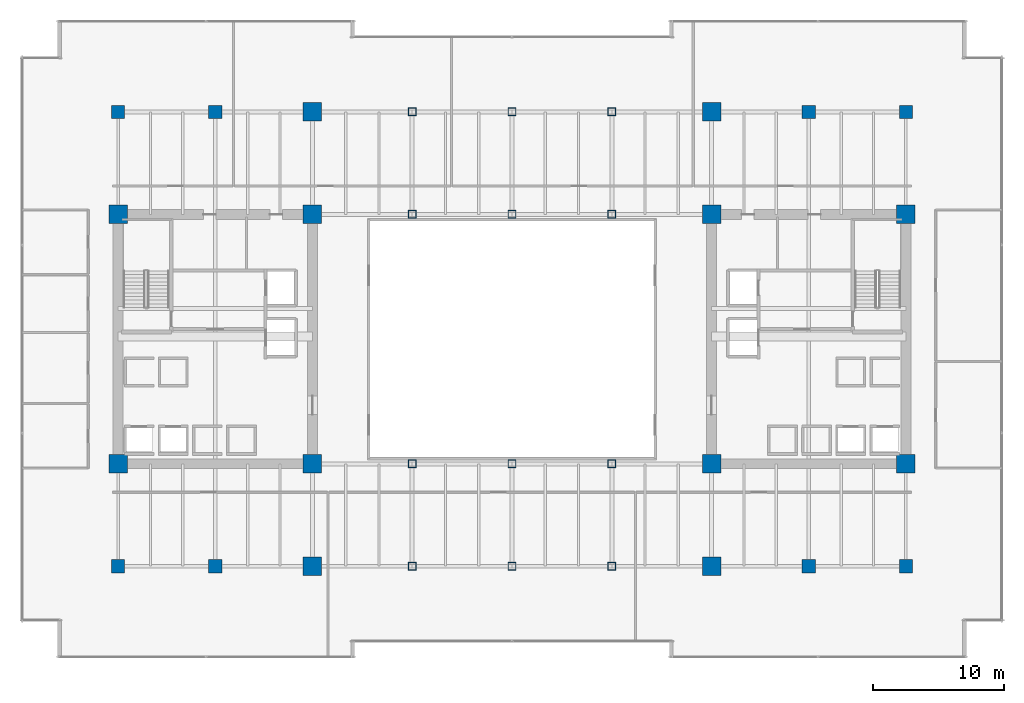
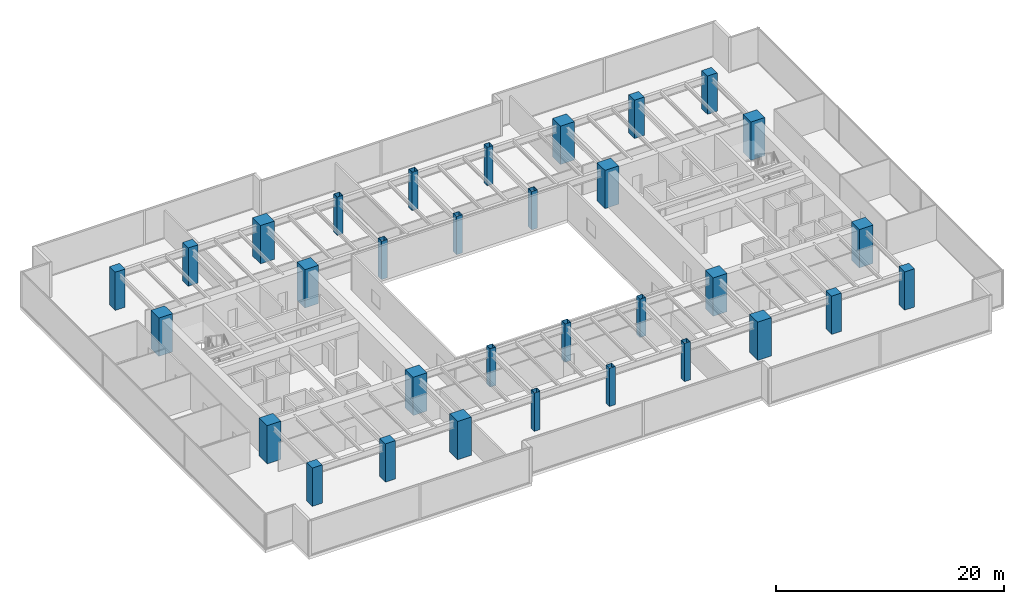
# One storey, part 1 of 35: 32 columns.
"""IFC4 building model written with IfcOpenShell, lengths in metres."""

from ifc_helpers import new_model, si_unit, direction, frame, origin, origin_2d, place, context, subcontext, project, spatial, rectangle, hollow_rectangle, extrude, source, transform, mapped, material, material_profile, profile_set, type_object, type_shapes, element, save


model = new_model("IFC4")

# Units and contexts
model_context = context("Model", 3, precision=1e-05, world=origin(), true_north=direction((0.0, 1.0)))
body_context = subcontext(model_context, "Body", "Model", "MODEL_VIEW")
ifc_project = project(units=[si_unit("LENGTHUNIT", "METRE"), si_unit("AREAUNIT", "SQUARE_METRE"), si_unit("VOLUMEUNIT", "CUBIC_METRE"), si_unit("PLANEANGLEUNIT", "RADIAN"), si_unit("MASSUNIT", "GRAM", prefix="KILO")], contexts=[model_context])

# Site, building, storey
site_placement = place(None, origin())
site = spatial("IfcSite", under=ifc_project, at=site_placement, CompositionType="ELEMENT")
building_placement = place(site_placement, origin())
building = spatial("IfcBuilding", under=site, at=building_placement, Name="Haelvirn Gate Laboratories", CompositionType="ELEMENT")
storey_placement = place(building_placement, frame((0.0, 0.0, 90.800048828125)))
storey = spatial("IfcBuildingStorey", under=building, at=storey_placement, Name="L22", CompositionType="ELEMENT", Elevation=90.800048828125)

# Columns
ifc_material_1 = material(Name="Concrete C60/75", Category="concrete")
ifc_material_profile_1 = material_profile(ifc_material_1, rectangle(XDim=1.0, YDim=1.0, at=origin_2d()), Name="RC-1000x1000")
ifc_profile_set_1 = profile_set([ifc_material_profile_1], Name="Concrete C60/75")
column_type_1 = type_object("IfcColumnType", Name="COL-RC-1000", PredefinedType="COLUMN", material=ifc_profile_set_1)
shared_shape_1 = source(origin(), body_context, "Body", "SweptSolid", [
    extrude(rectangle(XDim=1.0, YDim=1.0, at=origin_2d()), origin(), (0.0, 0.0, 1.0), 4.099853515625),
])
type_shapes(column_type_1, [shared_shape_1])
for number, where, z_axis, x_axis, name in (
    (1, (14.800048828125, 7.0, 0.0), (0.0, 0.0, 1.0), (1.0, 0.0, 0.0), "L22 Column 3B"),
    (2, (14.800048828125, 41.60009765625, 0.0), (0.0, 0.0, 1.0), (1.0, 0.0, 0.0), "L22 Column 3G"),
    (3, (60.0, 7.0, 0.0), (0.0, 0.0, 1.0), (1.0, 0.0, 0.0), "L22 Column 9B"),
    (4, (60.0, 41.60009765625, 0.0), (0.0, 0.0, 1.0), (1.0, 0.0, 0.0), "L22 Column 9G"),
    (5, (7.39990234375, 7.0, 0.0), (0.0, 0.0, 1.0), (1.0, 0.0, 0.0), "L22 Column 2B"),
    (6, (7.39990234375, 41.60009765625, 0.0), (0.0, 0.0, 1.0), (1.0, 0.0, 0.0), "L22 Column 2G"),
    (7, (67.39990234375, 7.0, 0.0), (0.0, 0.0, 1.0), (1.0, 0.0, 0.0), "L22 Column 10B"),
    (8, (67.39990234375, 41.60009765625, 0.0), (0.0, 0.0, 1.0), (1.0, 0.0, 0.0), "L22 Column 10G"),
):
    element("IfcColumn", number, at=place(storey_placement, frame(where, z_axis=z_axis, x_axis=x_axis)), inside=storey, type_object=column_type_1, Name=name, PredefinedType="COLUMN", context=body_context, shape_type="MappedRepresentation", body=[
        mapped(shared_shape_1, transform((0.0, 0.0, 0.0), scale=1.0)),
    ])
ifc_material_2 = material(Name="Concrete C70/85", Category="concrete")
ifc_material_profile_2 = material_profile(ifc_material_2, rectangle(XDim=1.39990234375, YDim=1.39990234375, at=origin_2d()), Name="SRC-1400x1400")
ifc_profile_set_2 = profile_set([ifc_material_profile_2], Name="Concrete C70/85")
column_type_2 = type_object("IfcColumnType", Name="COL-SRC-1400", PredefinedType="COLUMN", material=ifc_profile_set_2)
shared_shape_2 = source(origin(), body_context, "Body", "SweptSolid", [
    extrude(rectangle(XDim=1.39990234375, YDim=1.39990234375, at=origin_2d()), origin(), (0.0, 0.0, 1.0), 4.099853515625),
])
type_shapes(column_type_2, [shared_shape_2])
for number, where, z_axis, x_axis, name in (
    (9, (22.199951171875, 7.0, 0.0), (0.0, 0.0, 1.0), (1.0, 0.0, 0.0), "L22 Column 4B"),
    (10, (7.39990234375, 14.800048828125, 0.0), (0.0, 0.0, 1.0), (1.0, 0.0, 0.0), "L22 Column 2C"),
    (11, (22.199951171875, 14.800048828125, 0.0), (0.0, 0.0, 1.0), (1.0, 0.0, 0.0), "L22 Column 4C"),
    (12, (7.39990234375, 33.800048828125, 0.0), (0.0, 0.0, 1.0), (1.0, 0.0, 0.0), "L22 Column 2F"),
    (13, (22.199951171875, 33.800048828125, 0.0), (0.0, 0.0, 1.0), (1.0, 0.0, 0.0), "L22 Column 4F"),
    (14, (22.199951171875, 41.60009765625, 0.0), (0.0, 0.0, 1.0), (1.0, 0.0, 0.0), "L22 Column 4G"),
    (15, (52.60009765625, 7.0, 0.0), (0.0, 0.0, 1.0), (1.0, 0.0, 0.0), "L22 Column 8B"),
    (16, (52.60009765625, 14.800048828125, 0.0), (0.0, 0.0, 1.0), (1.0, 0.0, 0.0), "L22 Column 8C"),
    (17, (67.39990234375, 14.800048828125, 0.0), (0.0, 0.0, 1.0), (1.0, 0.0, 0.0), "L22 Column 10C"),
    (18, (52.60009765625, 33.800048828125, 0.0), (0.0, 0.0, 1.0), (1.0, 0.0, 0.0), "L22 Column 8F"),
    (19, (67.39990234375, 33.800048828125, 0.0), (0.0, 0.0, 1.0), (1.0, 0.0, 0.0), "L22 Column 10F"),
    (20, (52.60009765625, 41.60009765625, 0.0), (0.0, 0.0, 1.0), (1.0, 0.0, 0.0), "L22 Column 8G"),
):
    element("IfcColumn", number, at=place(storey_placement, frame(where, z_axis=z_axis, x_axis=x_axis)), inside=storey, type_object=column_type_2, Name=name, PredefinedType="COLUMN", context=body_context, shape_type="MappedRepresentation", body=[
        mapped(shared_shape_2, transform((0.0, 0.0, 0.0), scale=1.0)),
    ])
ifc_material_3 = material(Name="Steel SM420", Category="steel")
ifc_material_profile_3 = material_profile(ifc_material_3, hollow_rectangle(XDim=0.60009765625, YDim=0.60009765625, WallThickness=0.028076171875, at=origin_2d()), Name="BOX-600x600x28")
ifc_profile_set_3 = profile_set([ifc_material_profile_3], Name="Steel SM420")
column_type_3 = type_object("IfcColumnType", Name="COL-BOX-600", PredefinedType="COLUMN", material=ifc_profile_set_3)
shared_shape_3 = source(origin(), body_context, "Body", "SweptSolid", [
    extrude(hollow_rectangle(XDim=0.60009765625, YDim=0.60009765625, WallThickness=0.028076171875, at=origin_2d()), origin(), (0.0, 0.0, 1.0), 4.099853515625),
])
type_shapes(column_type_3, [shared_shape_3])
for number, where, z_axis, x_axis, name in (
    (21, (29.800048828125, 7.0, 0.0), (0.0, 0.0, 1.0), (1.0, 0.0, 0.0), "L22 Column 5B"),
    (22, (29.800048828125, 14.800048828125, 0.0), (0.0, 0.0, 1.0), (1.0, 0.0, 0.0), "L22 Column 5C"),
    (23, (29.800048828125, 33.800048828125, 0.0), (0.0, 0.0, 1.0), (1.0, 0.0, 0.0), "L22 Column 5F"),
    (24, (29.800048828125, 41.60009765625, 0.0), (0.0, 0.0, 1.0), (1.0, 0.0, 0.0), "L22 Column 5G"),
    (25, (37.39990234375, 7.0, 0.0), (0.0, 0.0, 1.0), (1.0, 0.0, 0.0), "L22 Column 6B"),
    (26, (37.39990234375, 14.800048828125, 0.0), (0.0, 0.0, 1.0), (1.0, 0.0, 0.0), "L22 Column 6C"),
    (27, (37.39990234375, 33.800048828125, 0.0), (0.0, 0.0, 1.0), (1.0, 0.0, 0.0), "L22 Column 6F"),
    (28, (37.39990234375, 41.60009765625, 0.0), (0.0, 0.0, 1.0), (1.0, 0.0, 0.0), "L22 Column 6G"),
    (29, (45.0, 7.0, 0.0), (0.0, 0.0, 1.0), (1.0, 0.0, 0.0), "L22 Column 7B"),
    (30, (45.0, 14.800048828125, 0.0), (0.0, 0.0, 1.0), (1.0, 0.0, 0.0), "L22 Column 7C"),
    (31, (45.0, 33.800048828125, 0.0), (0.0, 0.0, 1.0), (1.0, 0.0, 0.0), "L22 Column 7F"),
    (32, (45.0, 41.60009765625, 0.0), (0.0, 0.0, 1.0), (1.0, 0.0, 0.0), "L22 Column 7G"),
):
    element("IfcColumn", number, at=place(storey_placement, frame(where, z_axis=z_axis, x_axis=x_axis)), inside=storey, type_object=column_type_3, Name=name, PredefinedType="COLUMN", context=body_context, shape_type="MappedRepresentation", body=[
        mapped(shared_shape_3, transform((0.0, 0.0, 0.0), scale=1.0)),
    ])

save(model, "model.ifc")
